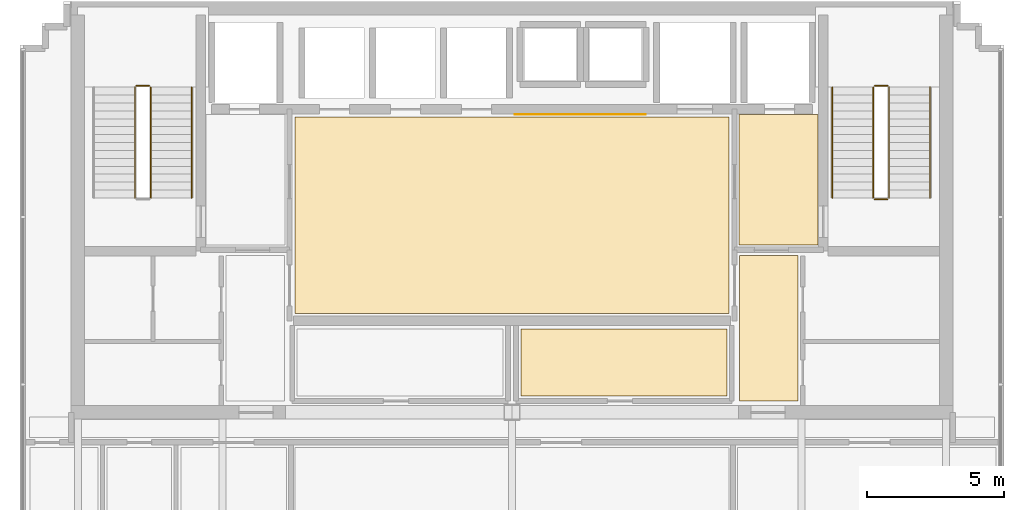
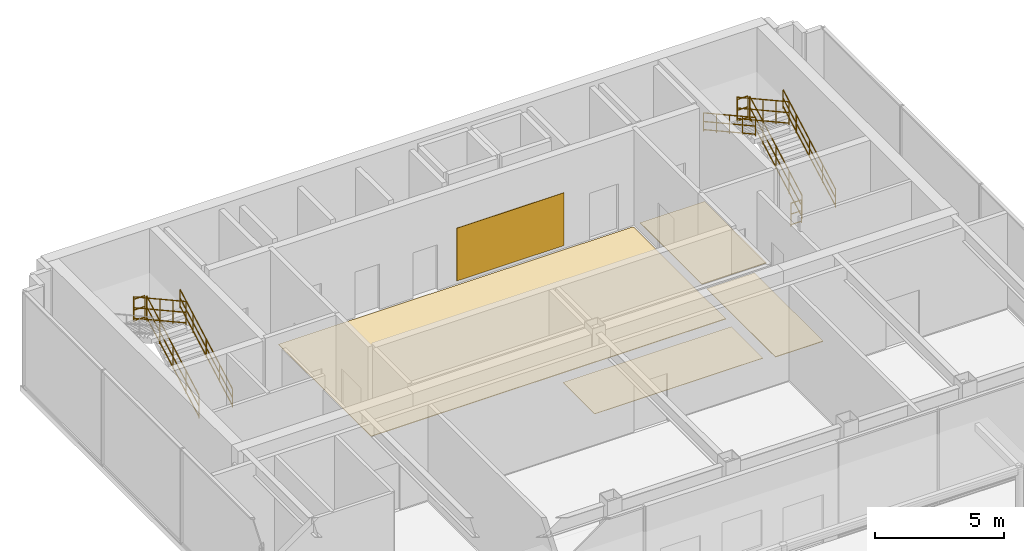
# One storey, part 11 of 11: 10 railings, 5 coverings.
"""IFC4 building model written with IfcOpenShell, lengths in metres."""

from ifc_helpers import new_model, si_unit, direction, frame, origin, origin_2d, place, context, subcontext, project, spatial, polyline, circle, outline, extrude, material, layer, layer_set, type_object, element, save


model = new_model("IFC4")

# Units and contexts
model_context = context("Model", 3, precision=1e-05, world=origin(), true_north=direction((0.0, 1.0)))
body_context = subcontext(model_context, "Body", "Model", "MODEL_VIEW")
ifc_project = project(units=[si_unit("LENGTHUNIT", "METRE"), si_unit("AREAUNIT", "SQUARE_METRE"), si_unit("VOLUMEUNIT", "CUBIC_METRE"), si_unit("PLANEANGLEUNIT", "RADIAN"), si_unit("MASSUNIT", "GRAM", prefix="KILO")], contexts=[model_context])

# Site, building, storey
site_placement = place(None, origin())
site = spatial("IfcSite", under=ifc_project, at=site_placement, CompositionType="ELEMENT")
building_placement = place(site_placement, origin())
building = spatial("IfcBuilding", under=site, at=building_placement, Name="Qianlan Lanfeng Residences", CompositionType="ELEMENT")
storey_placement = place(building_placement, frame((0.0, 0.0, 266.0)))
storey = spatial("IfcBuildingStorey", under=building, at=storey_placement, Name="L74", CompositionType="ELEMENT", Elevation=266.0)

# Coverings
ifc_material_1 = material(Name="Anodised Bronze Feature Wall Cladding")
ifc_layer_1 = layer(ifc_material_1, 0.02490234375)
ifc_layer_set_1 = layer_set([ifc_layer_1], Name="Anodised Bronze Feature Wall Cladding")
covering_type_1 = type_object("IfcCoveringType", Name="CLD-BRZ-25", PredefinedType="CLADDING", material=ifc_layer_set_1)
covering_1_placement = place(storey_placement, frame((0.0, 0.0, 0.14990234375)))
element("IfcCovering", 1, at=covering_1_placement, inside=storey, type_object=covering_type_1, Name="L74 Lift Lobby Bronze Feature Cladding", PredefinedType="CLADDING", context=body_context, shape_type="SweptSolid", body=[
    extrude(outline(polyline([(26.60009765625, 36.10009765625), (31.39990234375, 36.10009765625), (31.39990234375, 36.125), (26.60009765625, 36.125), (26.60009765625, 36.10009765625)])), origin(), (0.0, 0.0, 1.0), 2.5),
])
ifc_material_2 = material(Name="Honed Taitung Granite Stone Flooring", Category="masonry")
ifc_layer_2 = layer(ifc_material_2, 0.030029296875)
ifc_layer_set_2 = layer_set([ifc_layer_2], Name="Honed Taitung Granite Stone Flooring")
covering_type_2 = type_object("IfcCoveringType", Name="FLR-STN-30", PredefinedType="FLOORING", material=ifc_layer_set_2)
covering_2_placement = place(storey_placement, origin())
element("IfcCovering", 2, at=covering_2_placement, inside=storey, type_object=covering_type_2, Name="L74 Firefighting Lift Lobby Floor Finish", PredefinedType="FLOORING", context=body_context, shape_type="SweptSolid", body=[
    extrude(outline(polyline([(34.820068359375, 31.320068359375), (37.7099609375, 31.320068359375), (37.7099609375, 36.110107421875), (34.820068359375, 36.110107421875), (34.820068359375, 31.320068359375)])), origin(), (0.0, 0.0, 1.0), 0.030029296875),
])
covering_3_placement = place(storey_placement, origin())
element("IfcCovering", 3, at=covering_3_placement, inside=storey, type_object=covering_type_2, Name="L74 Lift Lobby Floor Finish", PredefinedType="FLOORING", context=body_context, shape_type="SweptSolid", body=[
    extrude(outline(polyline([(18.550048828125, 28.820068359375), (34.449951171875, 28.820068359375), (34.449951171875, 36.010009765625), (18.550048828125, 36.010009765625), (18.550048828125, 28.820068359375)])), origin(), (0.0, 0.0, 1.0), 0.030029296875),
])
covering_4_placement = place(storey_placement, origin())
element("IfcCovering", 4, at=covering_4_placement, inside=storey, type_object=covering_type_2, Name="L74 Lift Lobby Floor Finish", PredefinedType="FLOORING", context=body_context, shape_type="SweptSolid", body=[
    extrude(outline(polyline([(34.830078125, 25.6201171875), (36.969970703125, 25.6201171875), (36.969970703125, 30.949951171875), (34.830078125, 30.949951171875), (34.830078125, 25.6201171875)])), origin(), (0.0, 0.0, 1.0), 0.030029296875),
])
ifc_material_3 = material(Name="Engineered Smoked Oak Timber Flooring", Category="wood")
ifc_layer_3 = layer(ifc_material_3, 0.02197265625)
ifc_layer_set_3 = layer_set([ifc_layer_3], Name="Engineered Smoked Oak Timber Flooring")
covering_type_3 = type_object("IfcCoveringType", Name="FLR-TIM-22", PredefinedType="FLOORING", material=ifc_layer_set_3)
covering_5_placement = place(storey_placement, origin())
element("IfcCovering", 5, at=covering_5_placement, inside=storey, type_object=covering_type_3, Name="L74 Tea Room Floor Finish", PredefinedType="FLOORING", context=body_context, shape_type="SweptSolid", body=[
    extrude(outline(polyline([(26.830078125, 25.800048828125), (34.3701171875, 25.800048828125), (34.3701171875, 28.2548828125), (26.830078125, 28.2548828125), (26.830078125, 25.800048828125)])), origin(), (0.0, 0.0, 1.0), 0.02197265625),
])

# Railings
ifc_material_4 = material(Name="Painted Galvanised Steel Guardrail", Category="steel")
railing_type_1 = type_object("IfcRailingType", Name="GR-ST-1120", PredefinedType="GUARDRAIL", material=ifc_material_4)
railing_1_placement = place(storey_placement, frame((13.27001953125, 33.050048828125, 0.159912109375)))
element("IfcRailing", 6, at=railing_1_placement, inside=storey, type_object=railing_type_1, Name="L74 ST-1 stair guard 1", PredefinedType="GUARDRAIL", context=body_context, shape_type="SweptSolid", body=[
    extrude(circle(Radius=0.02392578125, at=origin_2d()), frame((0.0, 0.0, 0.083984375), z_axis=(0.0, 0.875581523614, 0.483070383594), x_axis=(-1.0, 0.0, 0.0)), (0.0, 0.0, 1.0), 4.636962890625),
    extrude(circle(Radius=0.02392578125, at=origin_2d()), frame((0.0, 0.0, 0.58251953125), z_axis=(0.0, 0.875581523614, 0.483070383594), x_axis=(-1.0, 0.0, 0.0)), (0.0, 0.0, 1.0), 4.636962890625),
    extrude(circle(Radius=0.02392578125, at=origin_2d()), frame((0.0, 0.0, 1.09619140625), z_axis=(0.0, 0.875581523614, 0.483070383594), x_axis=(-1.0, 0.0, 0.0)), (0.0, 0.0, 1.0), 4.636962890625),
    extrude(circle(Radius=0.02099609375, at=origin_2d()), origin(), (0.0, 0.0, 1.0), 1.072021484375),
    extrude(circle(Radius=0.02099609375, at=origin_2d()), frame((0.0, 1.01513671875, 0.56005859375)), (0.0, 0.0, 1.0), 1.072021484375),
    extrude(circle(Radius=0.02099609375, at=origin_2d()), frame((0.0, 2.030029296875, 1.1201171875)), (0.0, 0.0, 1.0), 1.072021484375),
    extrude(circle(Radius=0.02099609375, at=origin_2d()), frame((0.0, 3.044921875, 1.679931640625)), (0.0, 0.0, 1.0), 1.072021484375),
    extrude(circle(Radius=0.02099609375, at=origin_2d()), frame((0.0, 4.06005859375, 2.239990234375)), (0.0, 0.0, 1.0), 1.072021484375),
])
railing_2_placement = place(storey_placement, frame((13.219970703125, 37.159912109375, 2.39990234375)))
element("IfcRailing", 7, at=railing_2_placement, inside=storey, type_object=railing_type_1, Name="L74 ST-1 stair guard 2", PredefinedType="GUARDRAIL", context=body_context, shape_type="SweptSolid", body=[
    extrude(circle(Radius=0.02392578125, at=origin_2d()), frame((0.0, 0.0, 0.083984375), z_axis=(-1.0, 0.0, 0.0), x_axis=(0.0, -1.0, 0.0)), (0.0, 0.0, 1.0), 0.47998046875),
    extrude(circle(Radius=0.02392578125, at=origin_2d()), frame((0.0, 0.0, 0.58251953125), z_axis=(-1.0, 0.0, 0.0), x_axis=(0.0, -1.0, 0.0)), (0.0, 0.0, 1.0), 0.47998046875),
    extrude(circle(Radius=0.02392578125, at=origin_2d()), frame((0.0, 0.0, 1.09619140625), z_axis=(-1.0, 0.0, 0.0), x_axis=(0.0, -1.0, 0.0)), (0.0, 0.0, 1.0), 0.47998046875),
    extrude(circle(Radius=0.02099609375, at=origin_2d()), origin(), (0.0, 0.0, 1.0), 1.072021484375),
    extrude(circle(Radius=0.02099609375, at=origin_2d()), frame((-0.47998046875, 0.0, 0.0)), (0.0, 0.0, 1.0), 1.072021484375),
])
railing_3_placement = place(storey_placement, frame((12.68994140625, 37.110107421875, 2.56005859375)))
element("IfcRailing", 8, at=railing_3_placement, inside=storey, type_object=railing_type_1, Name="L74 ST-1 stair guard 3", PredefinedType="GUARDRAIL", context=body_context, shape_type="SweptSolid", body=[
    extrude(circle(Radius=0.02392578125, at=origin_2d()), frame((0.0, 0.0, 0.083984375), z_axis=(0.0, -0.875581523614, 0.483070383594), x_axis=(1.0, 0.0, 0.0)), (0.0, 0.0, 1.0), 4.636962890625),
    extrude(circle(Radius=0.02392578125, at=origin_2d()), frame((0.0, 0.0, 0.58251953125), z_axis=(0.0, -0.875581523614, 0.483070383594), x_axis=(1.0, 0.0, 0.0)), (0.0, 0.0, 1.0), 4.636962890625),
    extrude(circle(Radius=0.02392578125, at=origin_2d()), frame((0.0, 0.0, 1.09619140625), z_axis=(0.0, -0.875581523614, 0.483070383594), x_axis=(1.0, 0.0, 0.0)), (0.0, 0.0, 1.0), 4.636962890625),
    extrude(circle(Radius=0.02099609375, at=origin_2d()), origin(), (0.0, 0.0, 1.0), 1.072021484375),
    extrude(circle(Radius=0.02099609375, at=origin_2d()), frame((0.0, -1.01513671875, 0.56005859375)), (0.0, 0.0, 1.0), 1.072021484375),
    extrude(circle(Radius=0.02099609375, at=origin_2d()), frame((0.0, -2.030029296875, 1.1201171875)), (0.0, 0.0, 1.0), 1.072021484375),
    extrude(circle(Radius=0.02099609375, at=origin_2d()), frame((0.0, -3.044921875, 1.679931640625)), (0.0, 0.0, 1.0), 1.072021484375),
    extrude(circle(Radius=0.02099609375, at=origin_2d()), frame((0.0, -4.06005859375, 2.239990234375)), (0.0, 0.0, 1.0), 1.072021484375),
])
railing_4_placement = place(storey_placement, frame((40.31005859375, 33.050048828125, 0.159912109375)))
element("IfcRailing", 9, at=railing_4_placement, inside=storey, type_object=railing_type_1, Name="L74 ST-2 stair guard 1", PredefinedType="GUARDRAIL", context=body_context, shape_type="SweptSolid", body=[
    extrude(circle(Radius=0.02392578125, at=origin_2d()), frame((0.0, 0.0, 0.083984375), z_axis=(0.0, 0.875581523614, 0.483070383594), x_axis=(-1.0, 0.0, 0.0)), (0.0, 0.0, 1.0), 4.636962890625),
    extrude(circle(Radius=0.02392578125, at=origin_2d()), frame((0.0, 0.0, 0.58251953125), z_axis=(0.0, 0.875581523614, 0.483070383594), x_axis=(-1.0, 0.0, 0.0)), (0.0, 0.0, 1.0), 4.636962890625),
    extrude(circle(Radius=0.02392578125, at=origin_2d()), frame((0.0, 0.0, 1.09619140625), z_axis=(0.0, 0.875581523614, 0.483070383594), x_axis=(-1.0, 0.0, 0.0)), (0.0, 0.0, 1.0), 4.636962890625),
    extrude(circle(Radius=0.02099609375, at=origin_2d()), origin(), (0.0, 0.0, 1.0), 1.072021484375),
    extrude(circle(Radius=0.02099609375, at=origin_2d()), frame((0.0, 1.01513671875, 0.56005859375)), (0.0, 0.0, 1.0), 1.072021484375),
    extrude(circle(Radius=0.02099609375, at=origin_2d()), frame((0.0, 2.030029296875, 1.1201171875)), (0.0, 0.0, 1.0), 1.072021484375),
    extrude(circle(Radius=0.02099609375, at=origin_2d()), frame((0.0, 3.044921875, 1.679931640625)), (0.0, 0.0, 1.0), 1.072021484375),
    extrude(circle(Radius=0.02099609375, at=origin_2d()), frame((0.0, 4.06005859375, 2.239990234375)), (0.0, 0.0, 1.0), 1.072021484375),
])
railing_5_placement = place(storey_placement, frame((40.260009765625, 37.159912109375, 2.39990234375)))
element("IfcRailing", 10, at=railing_5_placement, inside=storey, type_object=railing_type_1, Name="L74 ST-2 stair guard 2", PredefinedType="GUARDRAIL", context=body_context, shape_type="SweptSolid", body=[
    extrude(circle(Radius=0.02392578125, at=origin_2d()), frame((0.0, 0.0, 0.083984375), z_axis=(-1.0, 0.0, 0.0), x_axis=(0.0, -1.0, 0.0)), (0.0, 0.0, 1.0), 0.47998046875),
    extrude(circle(Radius=0.02392578125, at=origin_2d()), frame((0.0, 0.0, 0.58251953125), z_axis=(-1.0, 0.0, 0.0), x_axis=(0.0, -1.0, 0.0)), (0.0, 0.0, 1.0), 0.47998046875),
    extrude(circle(Radius=0.02392578125, at=origin_2d()), frame((0.0, 0.0, 1.09619140625), z_axis=(-1.0, 0.0, 0.0), x_axis=(0.0, -1.0, 0.0)), (0.0, 0.0, 1.0), 0.47998046875),
    extrude(circle(Radius=0.02099609375, at=origin_2d()), origin(), (0.0, 0.0, 1.0), 1.072021484375),
    extrude(circle(Radius=0.02099609375, at=origin_2d()), frame((-0.47998046875, 0.0, 0.0)), (0.0, 0.0, 1.0), 1.072021484375),
])
railing_6_placement = place(storey_placement, frame((39.72998046875, 37.110107421875, 2.56005859375)))
element("IfcRailing", 11, at=railing_6_placement, inside=storey, type_object=railing_type_1, Name="L74 ST-2 stair guard 3", PredefinedType="GUARDRAIL", context=body_context, shape_type="SweptSolid", body=[
    extrude(circle(Radius=0.02392578125, at=origin_2d()), frame((0.0, 0.0, 0.083984375), z_axis=(0.0, -0.875581523614, 0.483070383594), x_axis=(1.0, 0.0, 0.0)), (0.0, 0.0, 1.0), 4.636962890625),
    extrude(circle(Radius=0.02392578125, at=origin_2d()), frame((0.0, 0.0, 0.58251953125), z_axis=(0.0, -0.875581523614, 0.483070383594), x_axis=(1.0, 0.0, 0.0)), (0.0, 0.0, 1.0), 4.636962890625),
    extrude(circle(Radius=0.02392578125, at=origin_2d()), frame((0.0, 0.0, 1.09619140625), z_axis=(0.0, -0.875581523614, 0.483070383594), x_axis=(1.0, 0.0, 0.0)), (0.0, 0.0, 1.0), 4.636962890625),
    extrude(circle(Radius=0.02099609375, at=origin_2d()), origin(), (0.0, 0.0, 1.0), 1.072021484375),
    extrude(circle(Radius=0.02099609375, at=origin_2d()), frame((0.0, -1.01513671875, 0.56005859375)), (0.0, 0.0, 1.0), 1.072021484375),
    extrude(circle(Radius=0.02099609375, at=origin_2d()), frame((0.0, -2.030029296875, 1.1201171875)), (0.0, 0.0, 1.0), 1.072021484375),
    extrude(circle(Radius=0.02099609375, at=origin_2d()), frame((0.0, -3.044921875, 1.679931640625)), (0.0, 0.0, 1.0), 1.072021484375),
    extrude(circle(Radius=0.02099609375, at=origin_2d()), frame((0.0, -4.06005859375, 2.239990234375)), (0.0, 0.0, 1.0), 1.072021484375),
])
railing_7_placement = place(storey_placement, frame((40.260009765625, 33.0, 0.0)))
element("IfcRailing", 12, at=railing_7_placement, inside=storey, type_object=railing_type_1, Name="L74 ST-2 stair guard 4", PredefinedType="GUARDRAIL", context=body_context, shape_type="SweptSolid", body=[
    extrude(circle(Radius=0.02392578125, at=origin_2d()), frame((0.0, 0.0, 0.083984375), z_axis=(-1.0, 0.0, 0.0), x_axis=(0.0, -1.0, 0.0)), (0.0, 0.0, 1.0), 0.47998046875),
    extrude(circle(Radius=0.02392578125, at=origin_2d()), frame((0.0, 0.0, 0.58251953125), z_axis=(-1.0, 0.0, 0.0), x_axis=(0.0, -1.0, 0.0)), (0.0, 0.0, 1.0), 0.47998046875),
    extrude(circle(Radius=0.02392578125, at=origin_2d()), frame((0.0, 0.0, 1.09619140625), z_axis=(-1.0, 0.0, 0.0), x_axis=(0.0, -1.0, 0.0)), (0.0, 0.0, 1.0), 0.47998046875),
    extrude(circle(Radius=0.02099609375, at=origin_2d()), origin(), (0.0, 0.0, 1.0), 1.072021484375),
    extrude(circle(Radius=0.02099609375, at=origin_2d()), frame((-0.47998046875, 0.0, 0.0)), (0.0, 0.0, 1.0), 1.072021484375),
])
ifc_material_5 = material(Name="Brushed Stainless Steel Handrail", Category="steel")
railing_type_2 = type_object("IfcRailingType", Name="HR-ST-920", PredefinedType="HANDRAIL", material=ifc_material_5)
for number, where, name in (
    (13, (14.77001953125, 33.050048828125, 0.159912109375), "L74 ST-1 stair handrail 1"),
    (14, (41.81005859375, 33.050048828125, 0.159912109375), "L74 ST-2 stair handrail 1"),
):
    element("IfcRailing", number, at=place(storey_placement, frame(where)), inside=storey, type_object=railing_type_2, Name=name, PredefinedType="HANDRAIL", context=body_context, shape_type="SweptSolid", body=[
        extrude(circle(Radius=0.02392578125, at=origin_2d()), frame((0.0, 0.0, 0.083984375), z_axis=(0.0, 0.875581523614, 0.483070383594), x_axis=(-1.0, 0.0, 0.0)), (0.0, 0.0, 1.0), 4.636962890625),
        extrude(circle(Radius=0.02392578125, at=origin_2d()), frame((0.0, 0.0, 0.468017578125), z_axis=(0.0, 0.875581523614, 0.483070383594), x_axis=(-1.0, 0.0, 0.0)), (0.0, 0.0, 1.0), 4.636962890625),
        extrude(circle(Radius=0.02392578125, at=origin_2d()), frame((0.0, 0.0, 0.8759765625), z_axis=(0.0, 0.875581523614, 0.483070383594), x_axis=(-1.0, 0.0, 0.0)), (0.0, 0.0, 1.0), 4.636962890625),
        extrude(circle(Radius=0.02099609375, at=origin_2d()), origin(), (0.0, 0.0, 1.0), 0.851806640625),
        extrude(circle(Radius=0.02099609375, at=origin_2d()), frame((0.0, 1.01513671875, 0.56005859375)), (0.0, 0.0, 1.0), 0.851806640625),
        extrude(circle(Radius=0.02099609375, at=origin_2d()), frame((0.0, 2.030029296875, 1.1201171875)), (0.0, 0.0, 1.0), 0.851806640625),
        extrude(circle(Radius=0.02099609375, at=origin_2d()), frame((0.0, 3.044921875, 1.679931640625)), (0.0, 0.0, 1.0), 0.851806640625),
        extrude(circle(Radius=0.02099609375, at=origin_2d()), frame((0.0, 4.06005859375, 2.239990234375)), (0.0, 0.0, 1.0), 0.851806640625),
    ])
railing_8_placement = place(storey_placement, frame((38.22998046875, 37.110107421875, 2.56005859375)))
element("IfcRailing", 15, at=railing_8_placement, inside=storey, type_object=railing_type_2, Name="L74 ST-2 stair handrail 2", PredefinedType="HANDRAIL", context=body_context, shape_type="SweptSolid", body=[
    extrude(circle(Radius=0.02392578125, at=origin_2d()), frame((0.0, 0.0, 0.083984375), z_axis=(0.0, -0.875581523614, 0.483070383594), x_axis=(1.0, 0.0, 0.0)), (0.0, 0.0, 1.0), 4.636962890625),
    extrude(circle(Radius=0.02392578125, at=origin_2d()), frame((0.0, 0.0, 0.468017578125), z_axis=(0.0, -0.875581523614, 0.483070383594), x_axis=(1.0, 0.0, 0.0)), (0.0, 0.0, 1.0), 4.636962890625),
    extrude(circle(Radius=0.02392578125, at=origin_2d()), frame((0.0, 0.0, 0.8759765625), z_axis=(0.0, -0.875581523614, 0.483070383594), x_axis=(1.0, 0.0, 0.0)), (0.0, 0.0, 1.0), 4.636962890625),
    extrude(circle(Radius=0.02099609375, at=origin_2d()), origin(), (0.0, 0.0, 1.0), 0.851806640625),
    extrude(circle(Radius=0.02099609375, at=origin_2d()), frame((0.0, -1.01513671875, 0.56005859375)), (0.0, 0.0, 1.0), 0.851806640625),
    extrude(circle(Radius=0.02099609375, at=origin_2d()), frame((0.0, -2.030029296875, 1.1201171875)), (0.0, 0.0, 1.0), 0.851806640625),
    extrude(circle(Radius=0.02099609375, at=origin_2d()), frame((0.0, -3.044921875, 1.679931640625)), (0.0, 0.0, 1.0), 0.851806640625),
    extrude(circle(Radius=0.02099609375, at=origin_2d()), frame((0.0, -4.06005859375, 2.239990234375)), (0.0, 0.0, 1.0), 0.851806640625),
])

save(model, "model.ifc")
